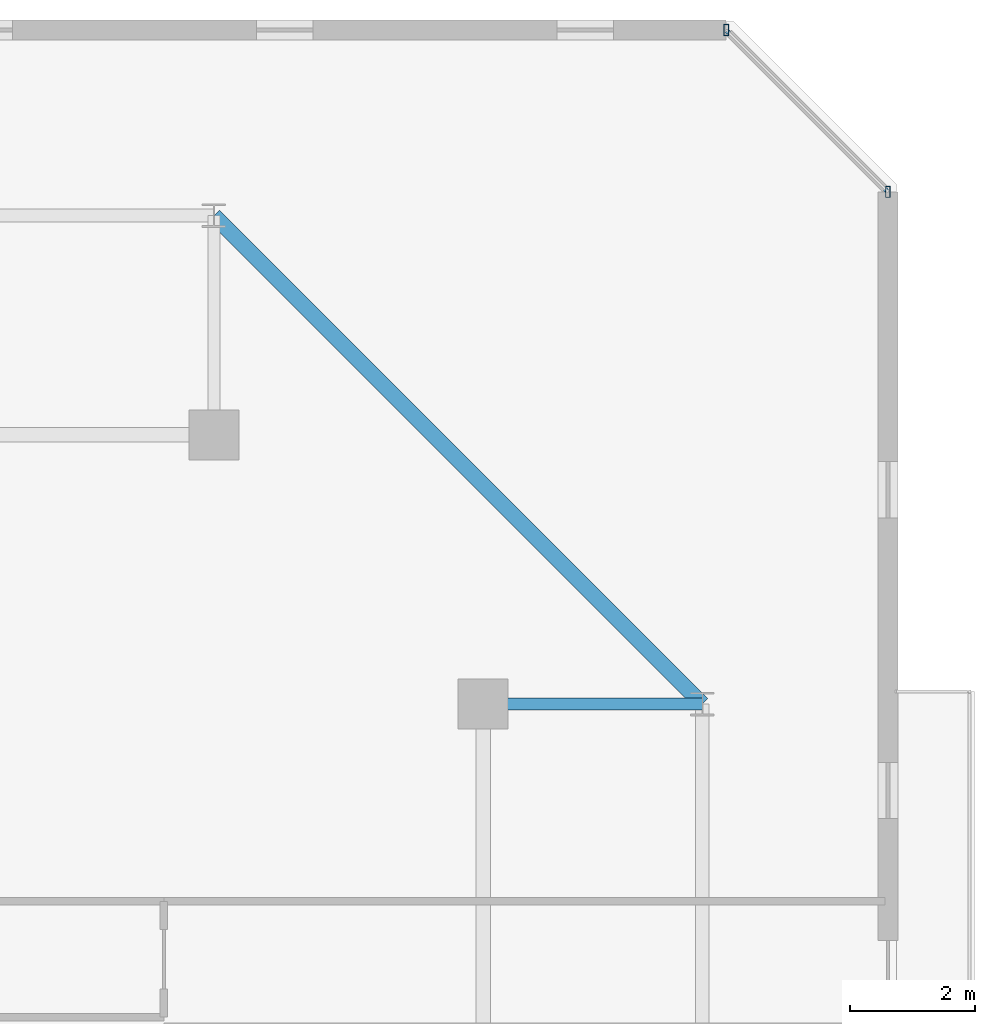
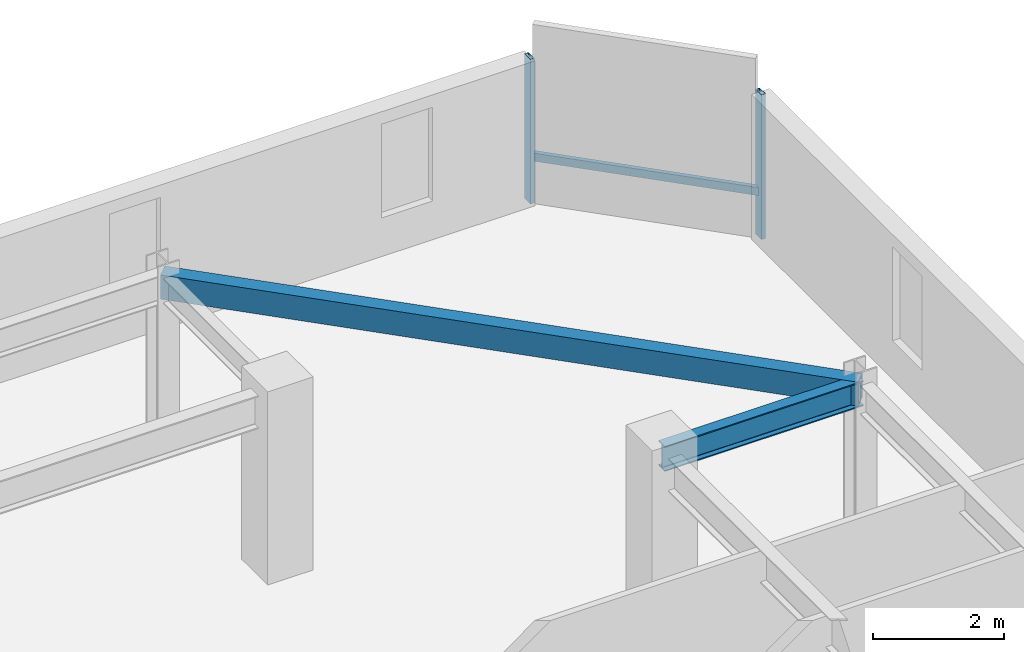
# One storey, part 19 of 35: 3 members, 2 beams, 1 element without a shape of its own.
"""IFC4 building model written with IfcOpenShell, lengths in metres."""

from ifc_helpers import new_model, si_unit, direction, frame, origin, origin_2d, place, context, subcontext, project, spatial, hollow_rectangle, i_section, extrude, material, material_profile, profile_set, type_object, element, aggregate, save


model = new_model("IFC4")

# Units and contexts
model_context = context("Model", 3, precision=1e-05, world=origin(), true_north=direction((0.0, 1.0)))
body_context = subcontext(model_context, "Body", "Model", "MODEL_VIEW")
ifc_project = project(units=[si_unit("LENGTHUNIT", "METRE"), si_unit("AREAUNIT", "SQUARE_METRE"), si_unit("VOLUMEUNIT", "CUBIC_METRE"), si_unit("PLANEANGLEUNIT", "RADIAN"), si_unit("MASSUNIT", "GRAM", prefix="KILO")], contexts=[model_context])

# Site, building, storey
site_placement = place(None, origin())
site = spatial("IfcSite", under=ifc_project, at=site_placement, CompositionType="ELEMENT")
building_placement = place(site_placement, origin())
building = spatial("IfcBuilding", under=site, at=building_placement, Name="Thornwick Lancets Civic Towers", CompositionType="ELEMENT")
storey_placement = place(building_placement, frame((0.0, 0.0, 269.10009765625)))
storey = spatial("IfcBuildingStorey", under=building, at=storey_placement, Name="L72", CompositionType="ELEMENT", Elevation=269.10009765625)

# Beams
ifc_material_1 = material(Name="Steel S355JR", Category="steel")
ifc_material_profile_1 = material_profile(ifc_material_1, i_section(OverallWidth=0.19287109375, OverallDepth=0.46728515625, WebThickness=0.011474609375, FlangeThickness=0.01953125, FilletRadius=0.01025390625, at=origin_2d()), Name="UKB 457x191x98")
ifc_profile_set_1 = profile_set([ifc_material_profile_1], Name="Steel S355JR")
beam_type_1 = type_object("IfcBeamType", Name="BM_JOIST_457_98", PredefinedType="JOIST", material=ifc_profile_set_1)
beam_1_placement = place(storey_placement, frame((105.800048828125, 40.0, 3.126220703125), z_axis=(1.0, 0.0, 0.0), x_axis=(0.0, 1.0, 0.0)))
element("IfcBeam", 1, at=beam_1_placement, inside=storey, type_object=beam_type_1, Name="BM-RAD-L72-B03", PredefinedType="JOIST", context=body_context, shape_type="SweptSolid", body=[
    extrude(i_section(OverallWidth=0.19287109375, OverallDepth=0.46728515625, WebThickness=0.011474609375, FlangeThickness=0.01953125, FilletRadius=0.01025390625, at=origin_2d()), origin(), (0.0, 0.0, 1.0), 3.5),
])
ifc_material_profile_2 = material_profile(ifc_material_1, hollow_rectangle(XDim=0.25, YDim=0.449951171875, WallThickness=0.01611328125, at=origin_2d()), Name="RHS 450x250x16")
ifc_profile_set_2 = profile_set([ifc_material_profile_2], Name="Steel S355JR")
beam_type_2 = type_object("IfcBeamType", Name="BM_RING_RHS450", PredefinedType="BEAM", material=ifc_profile_set_2)
beam_2_placement = place(storey_placement, frame((109.300048828125, 40.0, 3.135009765625), z_axis=(-0.707106781187, 0.707106781187, 0.0), x_axis=(-0.707106781187, -0.707106781187, 0.0)))
element("IfcBeam", 2, at=beam_2_placement, inside=storey, type_object=beam_type_2, Name="BM-CHAMF-L72-B-C0", PredefinedType="BEAM", context=body_context, shape_type="SweptSolid", body=[
    extrude(hollow_rectangle(XDim=0.25, YDim=0.449951171875, WallThickness=0.01611328125, at=origin_2d()), origin(), (0.0, 0.0, 1.0), 11.031005859375),
])

# Curtain wall, members
ifc_material_2 = material(Name="High-zone chamfered-corner unitised glass curtain wall", Category="glass")
curtain_wall_type = type_object("IfcCurtainWallType", Name="CW_SYS_05", PredefinedType="NOTDEFINED", material=ifc_material_2)
curtain_wall_placement = place(storey_placement, origin())
curtain_wall = element("IfcCurtainWall", 3, at=curtain_wall_placement, inside=storey, type_object=curtain_wall_type, Name="L72 Curtain Wall CW-L72-B-E3", PredefinedType="NOTDEFINED")
ifc_material_3 = material(Name="Thermally broken bronze aluminium S355", Category="steel")
ifc_material_profile_3 = material_profile(ifc_material_3, hollow_rectangle(XDim=0.074951171875, YDim=0.179931640625, WallThickness=0.006103515625, at=origin_2d()), Name="RHS 180x75x6")
ifc_profile_set_3 = profile_set([ifc_material_profile_3], Name="Thermally broken bronze aluminium S355")
member_type_1 = type_object("IfcMemberType", Name="CW_MUL_180", PredefinedType="MULLION", material=ifc_profile_set_3)
member_1_placement = place(storey_placement, frame((112.2646484375, 48.181396484375, 0.0), z_axis=(0.0, 0.0, 1.0), x_axis=(1.0, 0.0, 0.0)))
member_1 = element("IfcMember", 4, at=member_1_placement, type_object=member_type_1, Name="CW-L72-B-E3 Mullion 0", PredefinedType="MULLION", context=body_context, shape_type="SweptSolid", body=[
    extrude(hollow_rectangle(XDim=0.074951171875, YDim=0.179931640625, WallThickness=0.006103515625, at=origin_2d()), origin(), (0.0, 0.0, 1.0), 2.699951171875),
])
member_2_placement = place(storey_placement, frame((109.681396484375, 50.7646484375, 0.0), z_axis=(0.0, 0.0, 1.0), x_axis=(1.0, 0.0, 0.0)))
member_2 = element("IfcMember", 5, at=member_2_placement, type_object=member_type_1, Name="CW-L72-B-E3 Mullion 1", PredefinedType="MULLION", context=body_context, shape_type="SweptSolid", body=[
    extrude(hollow_rectangle(XDim=0.074951171875, YDim=0.179931640625, WallThickness=0.006103515625, at=origin_2d()), origin(), (0.0, 0.0, 1.0), 2.699951171875),
])
ifc_material_profile_4 = material_profile(ifc_material_3, hollow_rectangle(XDim=0.074951171875, YDim=0.14990234375, WallThickness=0.0048828125, at=origin_2d()), Name="RHS 150x75x5")
ifc_profile_set_4 = profile_set([ifc_material_profile_4], Name="Thermally broken bronze aluminium S355")
member_type_2 = type_object("IfcMemberType", Name="CW_TRN_150", PredefinedType="USERDEFINED", material=ifc_profile_set_4)
member_3_placement = place(storey_placement, frame((112.25048828125, 48.195556640625, 0.849853515625), z_axis=(-0.707106781187, 0.707106781187, 0.0), x_axis=(-0.707106781187, -0.707106781187, 0.0)))
member_3 = element("IfcMember", 6, at=member_3_placement, type_object=member_type_2, Name="CW-L72-B-E3 Transom 0", ObjectType="TRANSOM", PredefinedType="USERDEFINED", context=body_context, shape_type="SweptSolid", body=[
    extrude(hollow_rectangle(XDim=0.074951171875, YDim=0.14990234375, WallThickness=0.0048828125, at=origin_2d()), origin(), (0.0, 0.0, 1.0), 3.61328125),
])
aggregate(curtain_wall, [member_1, member_2, member_3])

save(model, "model.ifc")
